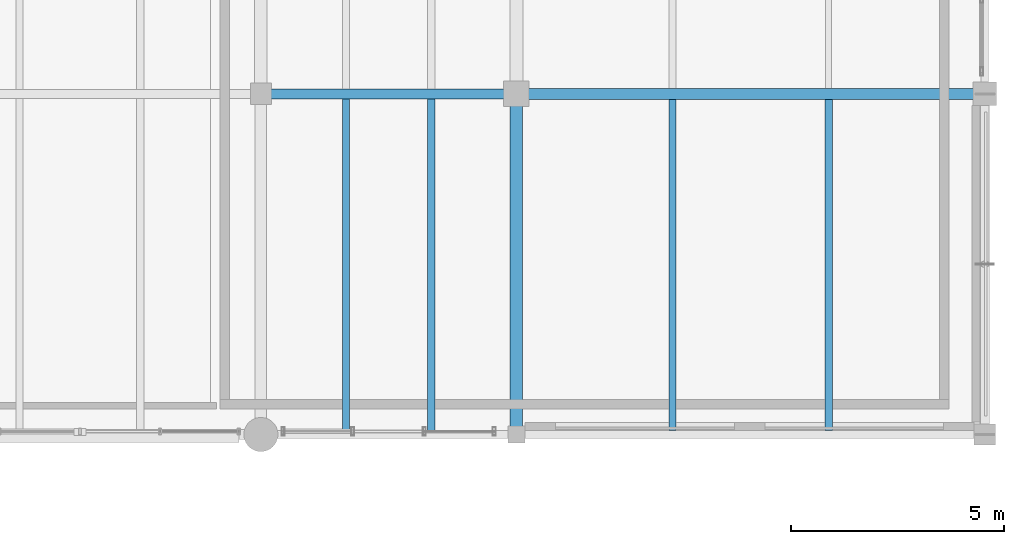
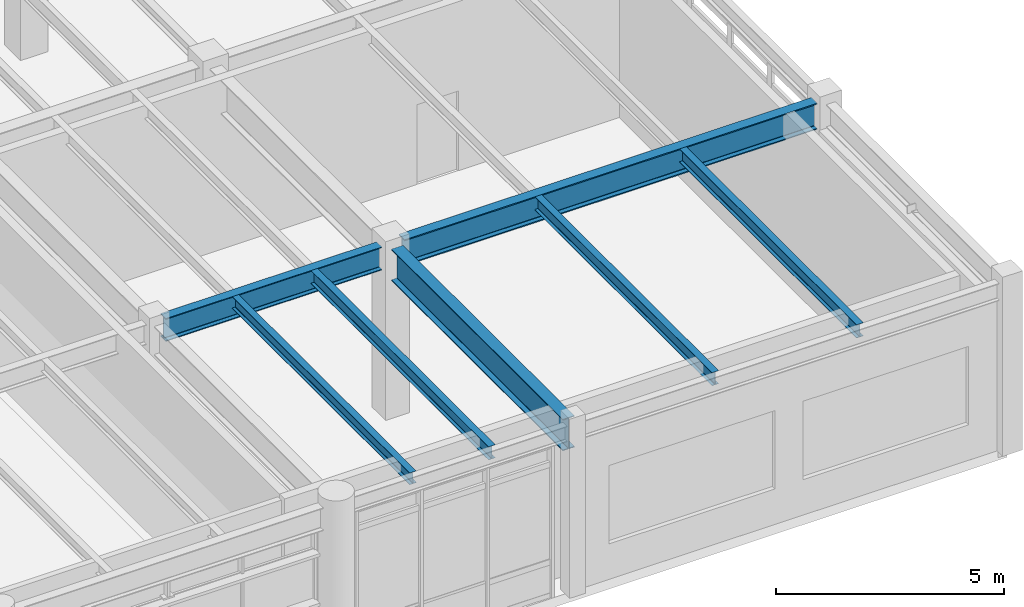
# One storey, part 141 of 200: 7 beams.
"""IFC4 building model written with IfcOpenShell, lengths in metres."""

from ifc_helpers import new_model, si_unit, direction, frame, origin, origin_2d, place, context, subcontext, project, spatial, i_section, extrude, material, material_profile, profile_set, type_object, element, save


model = new_model("IFC4")

# Units and contexts
model_context = context("Model", 3, precision=1e-05, world=origin(), true_north=direction((0.0, 1.0)))
body_context = subcontext(model_context, "Body", "Model", "MODEL_VIEW")
ifc_project = project(units=[si_unit("LENGTHUNIT", "METRE"), si_unit("AREAUNIT", "SQUARE_METRE"), si_unit("VOLUMEUNIT", "CUBIC_METRE"), si_unit("PLANEANGLEUNIT", "RADIAN"), si_unit("MASSUNIT", "GRAM", prefix="KILO"), si_unit("THERMODYNAMICTEMPERATUREUNIT", "KELVIN"), si_unit("POWERUNIT", "WATT")], contexts=[model_context])

# Site, building, storey
site_placement = place(None, origin())
site = spatial("IfcSite", under=ifc_project, at=site_placement, CompositionType="ELEMENT")
building_placement = place(site_placement, origin())
building = spatial("IfcBuilding", under=site, at=building_placement, Name="Tepalcoro Natatorium and Aquatics Centre", CompositionType="ELEMENT")
storey_placement = place(building_placement, frame((0.0, 0.0, 5.39990234375)))
storey = spatial("IfcBuildingStorey", under=building, at=storey_placement, Name="L01", CompositionType="ELEMENT", Elevation=5.39990234375)

# Beams
ifc_material = material(Name="Steel ASTM A992 Grade 50 (Fy 345 MPa)", Category="steel")
ifc_material_profile_1 = material_profile(ifc_material, i_section(OverallWidth=0.22998046875, OverallDepth=0.616943359375, WebThickness=0.012939453125, FlangeThickness=0.02197265625, FilletRadius=0.013916015625, at=origin_2d()), Name="W24X94")
ifc_profile_set_1 = profile_set([ifc_material_profile_1], Name="Steel ASTM A992 Grade 50 (Fy 345 MPa)")
beam_type_1 = type_object("IfcBeamType", Name="BM_W24x94", PredefinedType="BEAM", material=ifc_profile_set_1)
beam_1_placement = place(storey_placement, frame((159.235107421875, 94.0, 4.236572265625), z_axis=(1.0, 0.0, 0.0), x_axis=(0.0, 1.0, 0.0)))
element("IfcBeam", 1, at=beam_1_placement, inside=storey, type_object=beam_type_1, Name="V5 L01 Grid Girder X", PredefinedType="BEAM", context=body_context, shape_type="SweptSolid", body=[
    extrude(i_section(OverallWidth=0.22998046875, OverallDepth=0.616943359375, WebThickness=0.012939453125, FlangeThickness=0.02197265625, FilletRadius=0.013916015625, at=origin_2d()), origin(), (0.0, 0.0, 1.0), 5.47998046875),
])
ifc_material_profile_2 = material_profile(ifc_material, i_section(OverallWidth=0.25390625, OverallDepth=0.700927734375, WebThickness=0.014892578125, FlangeThickness=0.028076171875, FilletRadius=0.013916015625, at=origin_2d()), Name="W27X129")
ifc_profile_set_2 = profile_set([ifc_material_profile_2], Name="Steel ASTM A992 Grade 50 (Fy 345 MPa)")
beam_type_2 = type_object("IfcBeamType", Name="BM_W27x129", PredefinedType="BEAM", material=ifc_profile_set_2)
beam_2_placement = place(storey_placement, frame((165.284912109375, 94.0, 4.194580078125), z_axis=(1.0, 0.0, 0.0), x_axis=(0.0, 1.0, 0.0)))
element("IfcBeam", 2, at=beam_2_placement, inside=storey, type_object=beam_type_2, Name="V5 L01 Grid Girder X", PredefinedType="BEAM", context=body_context, shape_type="SweptSolid", body=[
    extrude(i_section(OverallWidth=0.25390625, OverallDepth=0.700927734375, WebThickness=0.014892578125, FlangeThickness=0.028076171875, FilletRadius=0.013916015625, at=origin_2d()), origin(), (0.0, 0.0, 1.0), 10.455078125),
])
ifc_material_profile_3 = material_profile(ifc_material, i_section(OverallWidth=0.2919921875, OverallDepth=0.845947265625, WebThickness=0.014892578125, FlangeThickness=0.02392578125, FilletRadius=0.013916015625, at=origin_2d()), Name="W33X141")
ifc_profile_set_3 = profile_set([ifc_material_profile_3], Name="Steel ASTM A992 Grade 50 (Fy 345 MPa)")
beam_type_3 = type_object("IfcBeamType", Name="BM_W33x141", PredefinedType="BEAM", material=ifc_profile_set_3)
beam_3_placement = place(storey_placement, frame((165.0, 86.18505859375, 4.1220703125), z_axis=(0.0, 1.0, 0.0), x_axis=(-1.0, 0.0, 0.0)))
element("IfcBeam", 3, at=beam_3_placement, inside=storey, type_object=beam_type_3, Name="V5 L01 Grid Girder Y", PredefinedType="BEAM", context=body_context, shape_type="SweptSolid", body=[
    extrude(i_section(OverallWidth=0.2919921875, OverallDepth=0.845947265625, WebThickness=0.014892578125, FlangeThickness=0.02392578125, FilletRadius=0.013916015625, at=origin_2d()), origin(), (0.0, 0.0, 1.0), 7.530029296875),
])
ifc_material_profile_4 = material_profile(ifc_material, i_section(OverallWidth=0.1669921875, OverallDepth=0.318115234375, WebThickness=0.008056640625, FlangeThickness=0.012939453125, FilletRadius=0.013916015625, at=origin_2d()), Name="W12X35")
ifc_profile_set_4 = profile_set([ifc_material_profile_4], Name="Steel ASTM A992 Grade 50 (Fy 345 MPa)")
beam_type_4 = type_object("IfcBeamType", Name="JS_W12x35", PredefinedType="JOIST", material=ifc_profile_set_4)
beam_4_placement = place(storey_placement, frame((161.0, 86.090087890625, 4.385986328125), z_axis=(0.0, 1.0, 0.0), x_axis=(-1.0, 0.0, 0.0)))
element("IfcBeam", 4, at=beam_4_placement, inside=storey, type_object=beam_type_4, Name="V5 L01 Floor Joist", PredefinedType="JOIST", context=body_context, shape_type="SweptSolid", body=[
    extrude(i_section(OverallWidth=0.1669921875, OverallDepth=0.318115234375, WebThickness=0.008056640625, FlangeThickness=0.012939453125, FilletRadius=0.013916015625, at=origin_2d()), origin(), (0.0, 0.0, 1.0), 7.794921875),
])
ifc_material_profile_5 = material_profile(ifc_material, i_section(OverallWidth=0.1708984375, OverallDepth=0.35107421875, WebThickness=0.007080078125, FlangeThickness=0.010009765625, FilletRadius=0.013916015625, at=origin_2d()), Name="W14X30")
ifc_profile_set_5 = profile_set([ifc_material_profile_5], Name="Steel ASTM A992 Grade 50 (Fy 345 MPa)")
beam_type_5 = type_object("IfcBeamType", Name="JS_W14x30", PredefinedType="JOIST", material=ifc_profile_set_5)
beam_5_placement = place(storey_placement, frame((163.0, 86.090087890625, 4.36962890625), z_axis=(0.0, 1.0, 0.0), x_axis=(-1.0, 0.0, 0.0)))
element("IfcBeam", 5, at=beam_5_placement, inside=storey, type_object=beam_type_5, Name="V5 L01 Floor Joist", PredefinedType="JOIST", context=body_context, shape_type="SweptSolid", body=[
    extrude(i_section(OverallWidth=0.1708984375, OverallDepth=0.35107421875, WebThickness=0.007080078125, FlangeThickness=0.010009765625, FilletRadius=0.013916015625, at=origin_2d()), origin(), (0.0, 0.0, 1.0), 7.794921875),
])
beam_6_placement = place(storey_placement, frame((168.666748046875, 86.095458984375, 4.36962890625), z_axis=(0.0, 1.0, 0.0), x_axis=(-1.0, 0.0, 0.0)))
element("IfcBeam", 6, at=beam_6_placement, inside=storey, type_object=beam_type_5, Name="V5 L01 Floor Joist", PredefinedType="JOIST", context=body_context, shape_type="SweptSolid", body=[
    extrude(i_section(OverallWidth=0.1708984375, OverallDepth=0.35107421875, WebThickness=0.007080078125, FlangeThickness=0.010009765625, FilletRadius=0.013916015625, at=origin_2d()), origin(), (0.0, 0.0, 1.0), 7.777587890625),
])
ifc_material_profile_6 = material_profile(ifc_material, i_section(OverallWidth=0.172119140625, OverallDepth=0.35791015625, WebThickness=0.008056640625, FlangeThickness=0.012939453125, FilletRadius=0.013916015625, at=origin_2d()), Name="W14X38")
ifc_profile_set_6 = profile_set([ifc_material_profile_6], Name="Steel ASTM A992 Grade 50 (Fy 345 MPa)")
beam_type_6 = type_object("IfcBeamType", Name="JS_W14x38", PredefinedType="JOIST", material=ifc_profile_set_6)
beam_7_placement = place(storey_placement, frame((172.333251953125, 86.095458984375, 4.3662109375), z_axis=(0.0, 1.0, 0.0), x_axis=(-1.0, 0.0, 0.0)))
element("IfcBeam", 7, at=beam_7_placement, inside=storey, type_object=beam_type_6, Name="V5 L01 Floor Joist", PredefinedType="JOIST", context=body_context, shape_type="SweptSolid", body=[
    extrude(i_section(OverallWidth=0.172119140625, OverallDepth=0.35791015625, WebThickness=0.008056640625, FlangeThickness=0.012939453125, FilletRadius=0.013916015625, at=origin_2d()), origin(), (0.0, 0.0, 1.0), 7.777587890625),
])

save(model, "model.ifc")
